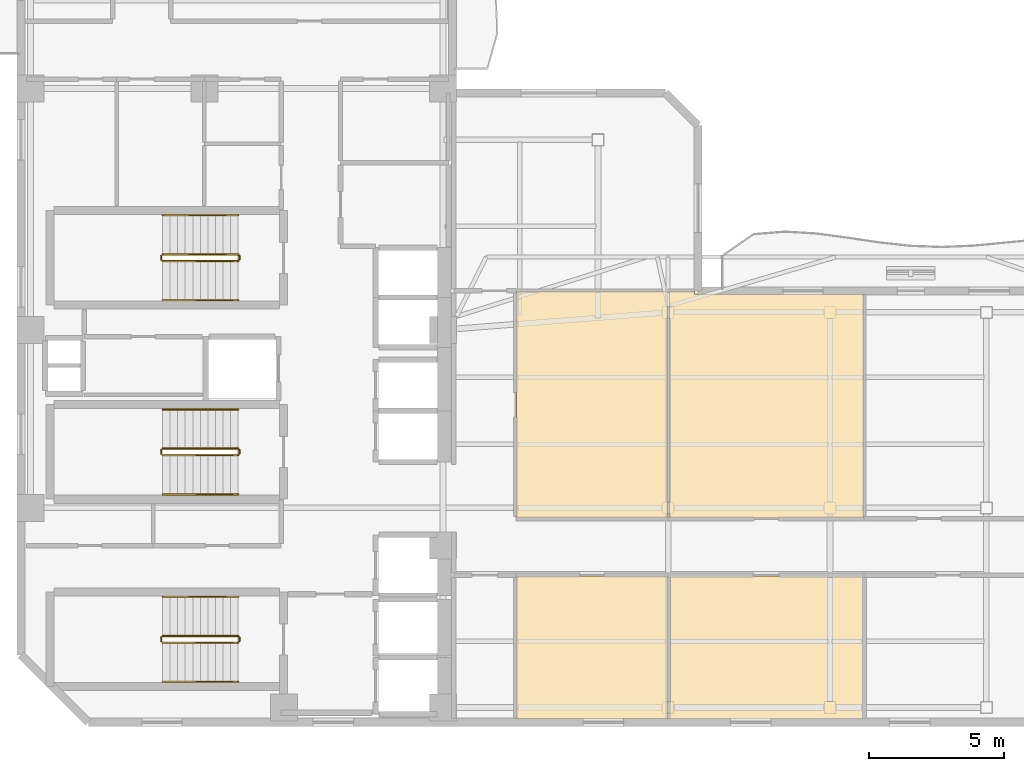
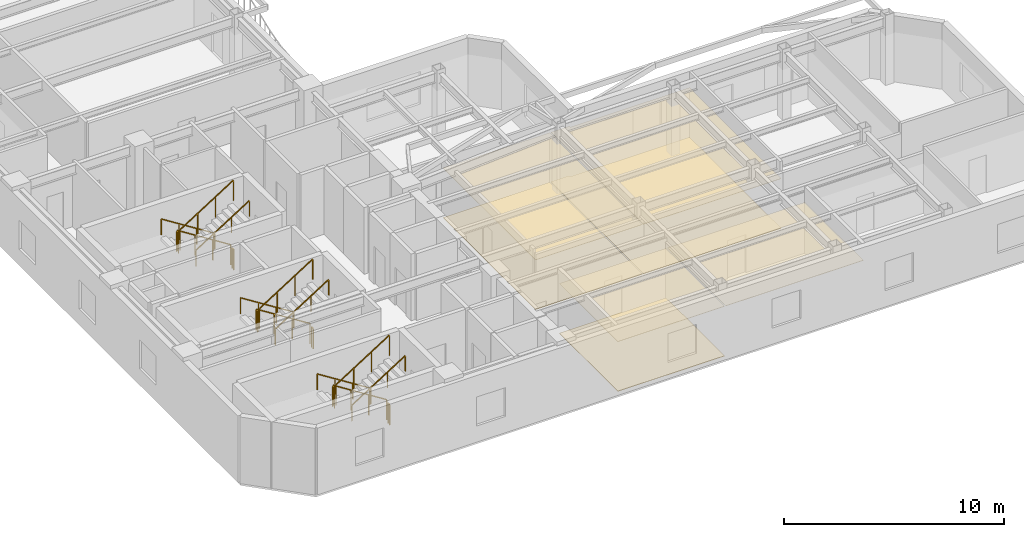
# One storey, part 7 of 9: 18 railings, 7 coverings.
"""IFC4 building model written with IfcOpenShell, lengths in metres."""

from ifc_helpers import new_model, si_unit, direction, frame, origin, origin_2d, place, context, subcontext, project, spatial, polyline, rectangle, outline, extrude, material, layer, layer_set, type_object, element, save


model = new_model("IFC4")

# Units and contexts
model_context = context("Model", 3, precision=1e-05, world=origin(), true_north=direction((0.0, 1.0)))
body_context = subcontext(model_context, "Body", "Model", "MODEL_VIEW")
ifc_project = project(units=[si_unit("LENGTHUNIT", "METRE"), si_unit("AREAUNIT", "SQUARE_METRE"), si_unit("VOLUMEUNIT", "CUBIC_METRE"), si_unit("PLANEANGLEUNIT", "RADIAN"), si_unit("MASSUNIT", "GRAM", prefix="KILO")], contexts=[model_context])

# Site, building, storey
site_placement = place(None, origin())
site = spatial("IfcSite", under=ifc_project, at=site_placement, CompositionType="ELEMENT")
building_placement = place(site_placement, origin())
building = spatial("IfcBuilding", under=site, at=building_placement, Name="Mawjaban Terraces University", CompositionType="ELEMENT")
storey_placement = place(building_placement, frame((0.0, 0.0, 203.10009765625)))
storey = spatial("IfcBuildingStorey", under=building, at=storey_placement, Name="L49", CompositionType="ELEMENT", Elevation=203.10009765625)

# Coverings
ifc_material_1 = material(Name="Acoustic mineral fibre ceiling tile", Category="masonry")
ifc_layer_1 = layer(ifc_material_1, 0.02001953125)
ifc_layer_set_1 = layer_set([ifc_layer_1], Name="Acoustic mineral fibre ceiling tile")
covering_type_1 = type_object("IfcCoveringType", Name="AcousticMineralCeiling_20", PredefinedType="CEILING", material=ifc_layer_set_1)
covering_1_placement = place(storey_placement, frame((0.0, 0.0, 2.75)))
element("IfcCovering", 1, at=covering_1_placement, inside=storey, type_object=covering_type_1, Name="L49 Quiet Reading Room 2 Acoustic Ceiling", PredefinedType="CEILING", context=body_context, shape_type="SweptSolid", body=[
    extrude(outline(polyline([(40.3798828125, 0.114990234375), (45.969970703125, 0.114990234375), (45.969970703125, 5.419921875), (40.3798828125, 5.419921875), (40.3798828125, 0.114990234375)])), origin(), (0.0, 0.0, 1.0), 0.02001953125),
])
covering_2_placement = place(storey_placement, frame((0.0, 0.0, 2.75)))
element("IfcCovering", 2, at=covering_2_placement, inside=storey, type_object=covering_type_1, Name="L49 Reading Salon 3 Acoustic Ceiling", PredefinedType="CEILING", context=body_context, shape_type="SweptSolid", body=[
    extrude(outline(polyline([(45.969970703125, 7.580078125), (45.969970703125, 15.969970703125), (40.3798828125, 15.969970703125), (40.3798828125, 7.580078125), (45.969970703125, 7.580078125)])), origin(), (0.0, 0.0, 1.0), 0.02001953125),
])
covering_3_placement = place(storey_placement, frame((0.0, 0.0, 2.75)))
element("IfcCovering", 3, at=covering_3_placement, inside=storey, type_object=covering_type_1, Name="L49 Media Workshop 4 Acoustic Ceiling", PredefinedType="CEILING", context=body_context, shape_type="SweptSolid", body=[
    extrude(outline(polyline([(46.030029296875, 0.114990234375), (53.241943359375, 0.114990234375), (53.241943359375, 5.419921875), (46.030029296875, 5.419921875), (46.030029296875, 0.114990234375)])), origin(), (0.0, 0.0, 1.0), 0.02001953125),
])
covering_4_placement = place(storey_placement, frame((0.0, 0.0, 2.75)))
element("IfcCovering", 4, at=covering_4_placement, inside=storey, type_object=covering_type_1, Name="L49 Quiet Reading Room 5 Acoustic Ceiling", PredefinedType="CEILING", context=body_context, shape_type="SweptSolid", body=[
    extrude(outline(polyline([(53.241943359375, 15.885009765625), (46.985107421875, 15.885009765625), (46.985107421875, 15.969970703125), (46.030029296875, 15.969970703125), (46.030029296875, 7.580078125), (53.241943359375, 7.580078125), (53.241943359375, 15.885009765625)])), origin(), (0.0, 0.0, 1.0), 0.02001953125),
])

# Railings
ifc_material_2 = material(Name="Brushed stainless steel 316", Category="steel")
railing_type_1 = type_object("IfcRailingType", Name="StairWallHandrail_900", PredefinedType="HANDRAIL", material=ifc_material_2)
railing_1_placement = place(storey_placement, frame((30.050048828125, 4.64990234375, 0.17724609375)))
element("IfcRailing", 5, at=railing_1_placement, inside=storey, type_object=railing_type_1, Name="L49 ST-1 stair handrail 1", PredefinedType="HANDRAIL", context=body_context, shape_type="SweptSolid", body=[
    extrude(rectangle(XDim=0.048095703125, YDim=0.048095703125, at=origin_2d()), frame((0.0, 0.0, 0.8759765625), z_axis=(-0.844908973607, 0.0, 0.534910110503), x_axis=(0.0, -1.0, 0.0)), (0.0, 0.0, 1.0), 3.31396484375),
    extrude(rectangle(XDim=0.0419921875, YDim=0.0419921875, at=origin_2d()), origin(), (0.0, 0.0, 1.0), 0.851806640625),
    extrude(rectangle(XDim=0.0419921875, YDim=0.0419921875, at=origin_2d()), frame((-0.933349609375, 0.0, 0.5908203125)), (0.0, 0.0, 1.0), 0.851806640625),
    extrude(rectangle(XDim=0.0419921875, YDim=0.0419921875, at=origin_2d()), frame((-1.86669921875, 0.0, 1.181884765625)), (0.0, 0.0, 1.0), 0.851806640625),
    extrude(rectangle(XDim=0.0419921875, YDim=0.0419921875, at=origin_2d()), frame((-2.800048828125, 0.0, 1.772705078125)), (0.0, 0.0, 1.0), 0.851806640625),
])
railing_2_placement = place(storey_placement, frame((27.25, 1.5, 2.127197265625)))
element("IfcRailing", 6, at=railing_2_placement, inside=storey, type_object=railing_type_1, Name="L49 ST-1 stair handrail 2", PredefinedType="HANDRAIL", context=body_context, shape_type="SweptSolid", body=[
    extrude(rectangle(XDim=0.048095703125, YDim=0.048095703125, at=origin_2d()), frame((0.0, 0.0, 0.8759765625), z_axis=(0.844908973607, 0.0, 0.534910110503), x_axis=(0.0, 1.0, 0.0)), (0.0, 0.0, 1.0), 3.31396484375),
    extrude(rectangle(XDim=0.0419921875, YDim=0.0419921875, at=origin_2d()), origin(), (0.0, 0.0, 1.0), 0.851806640625),
    extrude(rectangle(XDim=0.0419921875, YDim=0.0419921875, at=origin_2d()), frame((0.933349609375, 0.0, 0.5908203125)), (0.0, 0.0, 1.0), 0.851806640625),
    extrude(rectangle(XDim=0.0419921875, YDim=0.0419921875, at=origin_2d()), frame((1.86669921875, 0.0, 1.181884765625)), (0.0, 0.0, 1.0), 0.851806640625),
    extrude(rectangle(XDim=0.0419921875, YDim=0.0419921875, at=origin_2d()), frame((2.800048828125, 0.0, 1.772705078125)), (0.0, 0.0, 1.0), 0.851806640625),
])
railing_3_placement = place(storey_placement, frame((30.050048828125, 18.800048828125, 0.17724609375)))
element("IfcRailing", 7, at=railing_3_placement, inside=storey, type_object=railing_type_1, Name="L49 ST-2 stair handrail 1", PredefinedType="HANDRAIL", context=body_context, shape_type="SweptSolid", body=[
    extrude(rectangle(XDim=0.048095703125, YDim=0.048095703125, at=origin_2d()), frame((0.0, 0.0, 0.8759765625), z_axis=(-0.844908973607, 0.0, 0.534910110503), x_axis=(0.0, -1.0, 0.0)), (0.0, 0.0, 1.0), 3.31396484375),
    extrude(rectangle(XDim=0.0419921875, YDim=0.0419921875, at=origin_2d()), origin(), (0.0, 0.0, 1.0), 0.851806640625),
    extrude(rectangle(XDim=0.0419921875, YDim=0.0419921875, at=origin_2d()), frame((-0.933349609375, 0.0, 0.5908203125)), (0.0, 0.0, 1.0), 0.851806640625),
    extrude(rectangle(XDim=0.0419921875, YDim=0.0419921875, at=origin_2d()), frame((-1.86669921875, 0.0, 1.181884765625)), (0.0, 0.0, 1.0), 0.851806640625),
    extrude(rectangle(XDim=0.0419921875, YDim=0.0419921875, at=origin_2d()), frame((-2.800048828125, 0.0, 1.772705078125)), (0.0, 0.0, 1.0), 0.851806640625),
])
railing_4_placement = place(storey_placement, frame((27.25, 15.64990234375, 2.127197265625)))
element("IfcRailing", 8, at=railing_4_placement, inside=storey, type_object=railing_type_1, Name="L49 ST-2 stair handrail 2", PredefinedType="HANDRAIL", context=body_context, shape_type="SweptSolid", body=[
    extrude(rectangle(XDim=0.048095703125, YDim=0.048095703125, at=origin_2d()), frame((0.0, 0.0, 0.8759765625), z_axis=(0.844908973607, 0.0, 0.534910110503), x_axis=(0.0, 1.0, 0.0)), (0.0, 0.0, 1.0), 3.31396484375),
    extrude(rectangle(XDim=0.0419921875, YDim=0.0419921875, at=origin_2d()), origin(), (0.0, 0.0, 1.0), 0.851806640625),
    extrude(rectangle(XDim=0.0419921875, YDim=0.0419921875, at=origin_2d()), frame((0.933349609375, 0.0, 0.5908203125)), (0.0, 0.0, 1.0), 0.851806640625),
    extrude(rectangle(XDim=0.0419921875, YDim=0.0419921875, at=origin_2d()), frame((1.86669921875, 0.0, 1.181884765625)), (0.0, 0.0, 1.0), 0.851806640625),
    extrude(rectangle(XDim=0.0419921875, YDim=0.0419921875, at=origin_2d()), frame((2.800048828125, 0.0, 1.772705078125)), (0.0, 0.0, 1.0), 0.851806640625),
])
railing_5_placement = place(storey_placement, frame((30.050048828125, 11.60009765625, 0.17724609375)))
element("IfcRailing", 9, at=railing_5_placement, inside=storey, type_object=railing_type_1, Name="L49 ST-3 stair handrail 1", PredefinedType="HANDRAIL", context=body_context, shape_type="SweptSolid", body=[
    extrude(rectangle(XDim=0.048095703125, YDim=0.048095703125, at=origin_2d()), frame((0.0, 0.0, 0.8759765625), z_axis=(-0.844908973607, 0.0, 0.534910110503), x_axis=(0.0, -1.0, 0.0)), (0.0, 0.0, 1.0), 3.31396484375),
    extrude(rectangle(XDim=0.0419921875, YDim=0.0419921875, at=origin_2d()), origin(), (0.0, 0.0, 1.0), 0.851806640625),
    extrude(rectangle(XDim=0.0419921875, YDim=0.0419921875, at=origin_2d()), frame((-0.933349609375, 0.0, 0.5908203125)), (0.0, 0.0, 1.0), 0.851806640625),
    extrude(rectangle(XDim=0.0419921875, YDim=0.0419921875, at=origin_2d()), frame((-1.86669921875, 0.0, 1.181884765625)), (0.0, 0.0, 1.0), 0.851806640625),
    extrude(rectangle(XDim=0.0419921875, YDim=0.0419921875, at=origin_2d()), frame((-2.800048828125, 0.0, 1.772705078125)), (0.0, 0.0, 1.0), 0.851806640625),
])
railing_6_placement = place(storey_placement, frame((27.25, 8.449951171875, 2.127197265625)))
element("IfcRailing", 10, at=railing_6_placement, inside=storey, type_object=railing_type_1, Name="L49 ST-3 stair handrail 2", PredefinedType="HANDRAIL", context=body_context, shape_type="SweptSolid", body=[
    extrude(rectangle(XDim=0.048095703125, YDim=0.048095703125, at=origin_2d()), frame((0.0, 0.0, 0.8759765625), z_axis=(0.844908973607, 0.0, 0.534910110503), x_axis=(0.0, 1.0, 0.0)), (0.0, 0.0, 1.0), 3.31396484375),
    extrude(rectangle(XDim=0.0419921875, YDim=0.0419921875, at=origin_2d()), origin(), (0.0, 0.0, 1.0), 0.851806640625),
    extrude(rectangle(XDim=0.0419921875, YDim=0.0419921875, at=origin_2d()), frame((0.933349609375, 0.0, 0.5908203125)), (0.0, 0.0, 1.0), 0.851806640625),
    extrude(rectangle(XDim=0.0419921875, YDim=0.0419921875, at=origin_2d()), frame((1.86669921875, 0.0, 1.181884765625)), (0.0, 0.0, 1.0), 0.851806640625),
    extrude(rectangle(XDim=0.0419921875, YDim=0.0419921875, at=origin_2d()), frame((2.800048828125, 0.0, 1.772705078125)), (0.0, 0.0, 1.0), 0.851806640625),
])
ifc_material_3 = material(Name="Galvanised painted steel S355", Category="steel")
railing_type_2 = type_object("IfcRailingType", Name="StairWellGuard_1150", PredefinedType="BALUSTRADE", material=ifc_material_3)
railing_7_placement = place(storey_placement, frame((30.050048828125, 3.199951171875, 0.17724609375)))
element("IfcRailing", 11, at=railing_7_placement, inside=storey, type_object=railing_type_2, Name="L49 ST-1 stair guard 1", PredefinedType="BALUSTRADE", context=body_context, shape_type="SweptSolid", body=[
    extrude(rectangle(XDim=0.048095703125, YDim=0.048095703125, at=origin_2d()), frame((0.0, 0.0, 1.1259765625), z_axis=(-0.844908973607, 0.0, 0.534910110503), x_axis=(0.0, -1.0, 0.0)), (0.0, 0.0, 1.0), 3.31396484375),
    extrude(rectangle(XDim=0.0419921875, YDim=0.0419921875, at=origin_2d()), origin(), (0.0, 0.0, 1.0), 1.101806640625),
    extrude(rectangle(XDim=0.0419921875, YDim=0.0419921875, at=origin_2d()), frame((-0.933349609375, 0.0, 0.5908203125)), (0.0, 0.0, 1.0), 1.101806640625),
    extrude(rectangle(XDim=0.0419921875, YDim=0.0419921875, at=origin_2d()), frame((-1.86669921875, 0.0, 1.181884765625)), (0.0, 0.0, 1.0), 1.101806640625),
    extrude(rectangle(XDim=0.0419921875, YDim=0.0419921875, at=origin_2d()), frame((-2.800048828125, 0.0, 1.772705078125)), (0.0, 0.0, 1.0), 1.101806640625),
])
railing_8_placement = place(storey_placement, frame((27.199951171875, 3.14990234375, 1.949951171875)))
element("IfcRailing", 12, at=railing_8_placement, inside=storey, type_object=railing_type_2, Name="L49 ST-1 stair guard 2", PredefinedType="BALUSTRADE", context=body_context, shape_type="SweptSolid", body=[
    extrude(rectangle(XDim=0.048095703125, YDim=0.048095703125, at=origin_2d()), frame((0.0, 0.0, 1.1259765625), z_axis=(0.0, -1.0, 0.0), x_axis=(1.0, 0.0, 0.0)), (0.0, 0.0, 1.0), 0.14990234375),
    extrude(rectangle(XDim=0.0419921875, YDim=0.0419921875, at=origin_2d()), origin(), (0.0, 0.0, 1.0), 1.101806640625),
    extrude(rectangle(XDim=0.0419921875, YDim=0.0419921875, at=origin_2d()), frame((0.0, -0.14990234375, 0.0)), (0.0, 0.0, 1.0), 1.101806640625),
])
railing_9_placement = place(storey_placement, frame((27.25, 2.949951171875, 2.127197265625)))
element("IfcRailing", 13, at=railing_9_placement, inside=storey, type_object=railing_type_2, Name="L49 ST-1 stair guard 3", PredefinedType="BALUSTRADE", context=body_context, shape_type="SweptSolid", body=[
    extrude(rectangle(XDim=0.048095703125, YDim=0.048095703125, at=origin_2d()), frame((0.0, 0.0, 1.1259765625), z_axis=(0.844908973607, 0.0, 0.534910110503), x_axis=(0.0, 1.0, 0.0)), (0.0, 0.0, 1.0), 3.31396484375),
    extrude(rectangle(XDim=0.0419921875, YDim=0.0419921875, at=origin_2d()), origin(), (0.0, 0.0, 1.0), 1.101806640625),
    extrude(rectangle(XDim=0.0419921875, YDim=0.0419921875, at=origin_2d()), frame((0.933349609375, 0.0, 0.5908203125)), (0.0, 0.0, 1.0), 1.101806640625),
    extrude(rectangle(XDim=0.0419921875, YDim=0.0419921875, at=origin_2d()), frame((1.86669921875, 0.0, 1.181884765625)), (0.0, 0.0, 1.0), 1.101806640625),
    extrude(rectangle(XDim=0.0419921875, YDim=0.0419921875, at=origin_2d()), frame((2.800048828125, 0.0, 1.772705078125)), (0.0, 0.0, 1.0), 1.101806640625),
])
railing_10_placement = place(storey_placement, frame((30.10009765625, 3.14990234375, 0.0)))
element("IfcRailing", 14, at=railing_10_placement, inside=storey, type_object=railing_type_2, Name="L49 ST-1 stair guard 4", PredefinedType="BALUSTRADE", context=body_context, shape_type="SweptSolid", body=[
    extrude(rectangle(XDim=0.048095703125, YDim=0.048095703125, at=origin_2d()), frame((0.0, 0.0, 1.1259765625), z_axis=(0.0, -1.0, 0.0), x_axis=(1.0, 0.0, 0.0)), (0.0, 0.0, 1.0), 0.14990234375),
    extrude(rectangle(XDim=0.0419921875, YDim=0.0419921875, at=origin_2d()), origin(), (0.0, 0.0, 1.0), 1.101806640625),
    extrude(rectangle(XDim=0.0419921875, YDim=0.0419921875, at=origin_2d()), frame((0.0, -0.14990234375, 0.0)), (0.0, 0.0, 1.0), 1.101806640625),
])
railing_11_placement = place(storey_placement, frame((30.050048828125, 17.35009765625, 0.17724609375)))
element("IfcRailing", 15, at=railing_11_placement, inside=storey, type_object=railing_type_2, Name="L49 ST-2 stair guard 1", PredefinedType="BALUSTRADE", context=body_context, shape_type="SweptSolid", body=[
    extrude(rectangle(XDim=0.048095703125, YDim=0.048095703125, at=origin_2d()), frame((0.0, 0.0, 1.1259765625), z_axis=(-0.844908973607, 0.0, 0.534910110503), x_axis=(0.0, -1.0, 0.0)), (0.0, 0.0, 1.0), 3.31396484375),
    extrude(rectangle(XDim=0.0419921875, YDim=0.0419921875, at=origin_2d()), origin(), (0.0, 0.0, 1.0), 1.101806640625),
    extrude(rectangle(XDim=0.0419921875, YDim=0.0419921875, at=origin_2d()), frame((-0.933349609375, 0.0, 0.5908203125)), (0.0, 0.0, 1.0), 1.101806640625),
    extrude(rectangle(XDim=0.0419921875, YDim=0.0419921875, at=origin_2d()), frame((-1.86669921875, 0.0, 1.181884765625)), (0.0, 0.0, 1.0), 1.101806640625),
    extrude(rectangle(XDim=0.0419921875, YDim=0.0419921875, at=origin_2d()), frame((-2.800048828125, 0.0, 1.772705078125)), (0.0, 0.0, 1.0), 1.101806640625),
])
railing_12_placement = place(storey_placement, frame((27.199951171875, 17.300048828125, 1.949951171875)))
element("IfcRailing", 16, at=railing_12_placement, inside=storey, type_object=railing_type_2, Name="L49 ST-2 stair guard 2", PredefinedType="BALUSTRADE", context=body_context, shape_type="SweptSolid", body=[
    extrude(rectangle(XDim=0.048095703125, YDim=0.048095703125, at=origin_2d()), frame((0.0, 0.0, 1.1259765625), z_axis=(0.0, -1.0, 0.0), x_axis=(1.0, 0.0, 0.0)), (0.0, 0.0, 1.0), 0.150146484375),
    extrude(rectangle(XDim=0.0419921875, YDim=0.0419921875, at=origin_2d()), origin(), (0.0, 0.0, 1.0), 1.101806640625),
    extrude(rectangle(XDim=0.0419921875, YDim=0.0419921875, at=origin_2d()), frame((0.0, -0.150146484375, 0.0)), (0.0, 0.0, 1.0), 1.101806640625),
])
railing_13_placement = place(storey_placement, frame((27.25, 17.10009765625, 2.127197265625)))
element("IfcRailing", 17, at=railing_13_placement, inside=storey, type_object=railing_type_2, Name="L49 ST-2 stair guard 3", PredefinedType="BALUSTRADE", context=body_context, shape_type="SweptSolid", body=[
    extrude(rectangle(XDim=0.048095703125, YDim=0.048095703125, at=origin_2d()), frame((0.0, 0.0, 1.1259765625), z_axis=(0.844908973607, 0.0, 0.534910110503), x_axis=(0.0, 1.0, 0.0)), (0.0, 0.0, 1.0), 3.31396484375),
    extrude(rectangle(XDim=0.0419921875, YDim=0.0419921875, at=origin_2d()), origin(), (0.0, 0.0, 1.0), 1.101806640625),
    extrude(rectangle(XDim=0.0419921875, YDim=0.0419921875, at=origin_2d()), frame((0.933349609375, 0.0, 0.5908203125)), (0.0, 0.0, 1.0), 1.101806640625),
    extrude(rectangle(XDim=0.0419921875, YDim=0.0419921875, at=origin_2d()), frame((1.86669921875, 0.0, 1.181884765625)), (0.0, 0.0, 1.0), 1.101806640625),
    extrude(rectangle(XDim=0.0419921875, YDim=0.0419921875, at=origin_2d()), frame((2.800048828125, 0.0, 1.772705078125)), (0.0, 0.0, 1.0), 1.101806640625),
])
railing_14_placement = place(storey_placement, frame((30.10009765625, 17.300048828125, 0.0)))
element("IfcRailing", 18, at=railing_14_placement, inside=storey, type_object=railing_type_2, Name="L49 ST-2 stair guard 4", PredefinedType="BALUSTRADE", context=body_context, shape_type="SweptSolid", body=[
    extrude(rectangle(XDim=0.048095703125, YDim=0.048095703125, at=origin_2d()), frame((0.0, 0.0, 1.1259765625), z_axis=(0.0, -1.0, 0.0), x_axis=(1.0, 0.0, 0.0)), (0.0, 0.0, 1.0), 0.150146484375),
    extrude(rectangle(XDim=0.0419921875, YDim=0.0419921875, at=origin_2d()), origin(), (0.0, 0.0, 1.0), 1.101806640625),
    extrude(rectangle(XDim=0.0419921875, YDim=0.0419921875, at=origin_2d()), frame((0.0, -0.150146484375, 0.0)), (0.0, 0.0, 1.0), 1.101806640625),
])
railing_15_placement = place(storey_placement, frame((30.050048828125, 10.14990234375, 0.17724609375)))
element("IfcRailing", 19, at=railing_15_placement, inside=storey, type_object=railing_type_2, Name="L49 ST-3 stair guard 1", PredefinedType="BALUSTRADE", context=body_context, shape_type="SweptSolid", body=[
    extrude(rectangle(XDim=0.048095703125, YDim=0.048095703125, at=origin_2d()), frame((0.0, 0.0, 1.1259765625), z_axis=(-0.844908973607, 0.0, 0.534910110503), x_axis=(0.0, -1.0, 0.0)), (0.0, 0.0, 1.0), 3.31396484375),
    extrude(rectangle(XDim=0.0419921875, YDim=0.0419921875, at=origin_2d()), origin(), (0.0, 0.0, 1.0), 1.101806640625),
    extrude(rectangle(XDim=0.0419921875, YDim=0.0419921875, at=origin_2d()), frame((-0.933349609375, 0.0, 0.5908203125)), (0.0, 0.0, 1.0), 1.101806640625),
    extrude(rectangle(XDim=0.0419921875, YDim=0.0419921875, at=origin_2d()), frame((-1.86669921875, 0.0, 1.181884765625)), (0.0, 0.0, 1.0), 1.101806640625),
    extrude(rectangle(XDim=0.0419921875, YDim=0.0419921875, at=origin_2d()), frame((-2.800048828125, 0.0, 1.772705078125)), (0.0, 0.0, 1.0), 1.101806640625),
])
railing_16_placement = place(storey_placement, frame((27.199951171875, 10.10009765625, 1.949951171875)))
element("IfcRailing", 20, at=railing_16_placement, inside=storey, type_object=railing_type_2, Name="L49 ST-3 stair guard 2", PredefinedType="BALUSTRADE", context=body_context, shape_type="SweptSolid", body=[
    extrude(rectangle(XDim=0.048095703125, YDim=0.048095703125, at=origin_2d()), frame((0.0, 0.0, 1.1259765625), z_axis=(0.0, -1.0, 0.0), x_axis=(1.0, 0.0, 0.0)), (0.0, 0.0, 1.0), 0.150146484375),
    extrude(rectangle(XDim=0.0419921875, YDim=0.0419921875, at=origin_2d()), origin(), (0.0, 0.0, 1.0), 1.101806640625),
    extrude(rectangle(XDim=0.0419921875, YDim=0.0419921875, at=origin_2d()), frame((0.0, -0.150146484375, 0.0)), (0.0, 0.0, 1.0), 1.101806640625),
])
railing_17_placement = place(storey_placement, frame((27.25, 9.89990234375, 2.127197265625)))
element("IfcRailing", 21, at=railing_17_placement, inside=storey, type_object=railing_type_2, Name="L49 ST-3 stair guard 3", PredefinedType="BALUSTRADE", context=body_context, shape_type="SweptSolid", body=[
    extrude(rectangle(XDim=0.048095703125, YDim=0.048095703125, at=origin_2d()), frame((0.0, 0.0, 1.1259765625), z_axis=(0.844908973607, 0.0, 0.534910110503), x_axis=(0.0, 1.0, 0.0)), (0.0, 0.0, 1.0), 3.31396484375),
    extrude(rectangle(XDim=0.0419921875, YDim=0.0419921875, at=origin_2d()), origin(), (0.0, 0.0, 1.0), 1.101806640625),
    extrude(rectangle(XDim=0.0419921875, YDim=0.0419921875, at=origin_2d()), frame((0.933349609375, 0.0, 0.5908203125)), (0.0, 0.0, 1.0), 1.101806640625),
    extrude(rectangle(XDim=0.0419921875, YDim=0.0419921875, at=origin_2d()), frame((1.86669921875, 0.0, 1.181884765625)), (0.0, 0.0, 1.0), 1.101806640625),
    extrude(rectangle(XDim=0.0419921875, YDim=0.0419921875, at=origin_2d()), frame((2.800048828125, 0.0, 1.772705078125)), (0.0, 0.0, 1.0), 1.101806640625),
])
railing_18_placement = place(storey_placement, frame((30.10009765625, 10.10009765625, 0.0)))
element("IfcRailing", 22, at=railing_18_placement, inside=storey, type_object=railing_type_2, Name="L49 ST-3 stair guard 4", PredefinedType="BALUSTRADE", context=body_context, shape_type="SweptSolid", body=[
    extrude(rectangle(XDim=0.048095703125, YDim=0.048095703125, at=origin_2d()), frame((0.0, 0.0, 1.1259765625), z_axis=(0.0, -1.0, 0.0), x_axis=(1.0, 0.0, 0.0)), (0.0, 0.0, 1.0), 0.150146484375),
    extrude(rectangle(XDim=0.0419921875, YDim=0.0419921875, at=origin_2d()), origin(), (0.0, 0.0, 1.0), 1.101806640625),
    extrude(rectangle(XDim=0.0419921875, YDim=0.0419921875, at=origin_2d()), frame((0.0, -0.150146484375, 0.0)), (0.0, 0.0, 1.0), 1.101806640625),
])

# Coverings
ifc_material_4 = material(Name="Polished Hijazi granite terrazzo flooring", Category="masonry")
ifc_layer_2 = layer(ifc_material_4, 0.02490234375)
ifc_layer_set_2 = layer_set([ifc_layer_2], Name="Polished Hijazi granite terrazzo flooring")
covering_type_2 = type_object("IfcCoveringType", Name="TerrazzoConcourseFlooring_25", PredefinedType="FLOORING", material=ifc_layer_set_2)
covering_5_placement = place(storey_placement, origin())
element("IfcCovering", 23, at=covering_5_placement, inside=storey, type_object=covering_type_2, Name="L49 Quiet Reading Room 2 Terrazzo Flooring", PredefinedType="FLOORING", context=body_context, shape_type="SweptSolid", body=[
    extrude(outline(polyline([(40.3798828125, 0.114990234375), (45.969970703125, 0.114990234375), (45.969970703125, 5.419921875), (40.3798828125, 5.419921875), (40.3798828125, 0.114990234375)])), origin(), (0.0, 0.0, 1.0), 0.02490234375),
])
covering_6_placement = place(storey_placement, origin())
element("IfcCovering", 24, at=covering_6_placement, inside=storey, type_object=covering_type_2, Name="L49 Reading Salon 3 Terrazzo Flooring", PredefinedType="FLOORING", context=body_context, shape_type="SweptSolid", body=[
    extrude(outline(polyline([(45.969970703125, 7.580078125), (45.969970703125, 15.969970703125), (40.3798828125, 15.969970703125), (40.3798828125, 7.580078125), (45.969970703125, 7.580078125)])), origin(), (0.0, 0.0, 1.0), 0.02490234375),
])
covering_7_placement = place(storey_placement, origin())
element("IfcCovering", 25, at=covering_7_placement, inside=storey, type_object=covering_type_2, Name="L49 Quiet Reading Room 5 Terrazzo Flooring", PredefinedType="FLOORING", context=body_context, shape_type="SweptSolid", body=[
    extrude(outline(polyline([(53.241943359375, 15.885009765625), (46.985107421875, 15.885009765625), (46.985107421875, 15.969970703125), (46.030029296875, 15.969970703125), (46.030029296875, 7.580078125), (53.241943359375, 7.580078125), (53.241943359375, 15.885009765625)])), origin(), (0.0, 0.0, 1.0), 0.02490234375),
])

save(model, "model.ifc")
